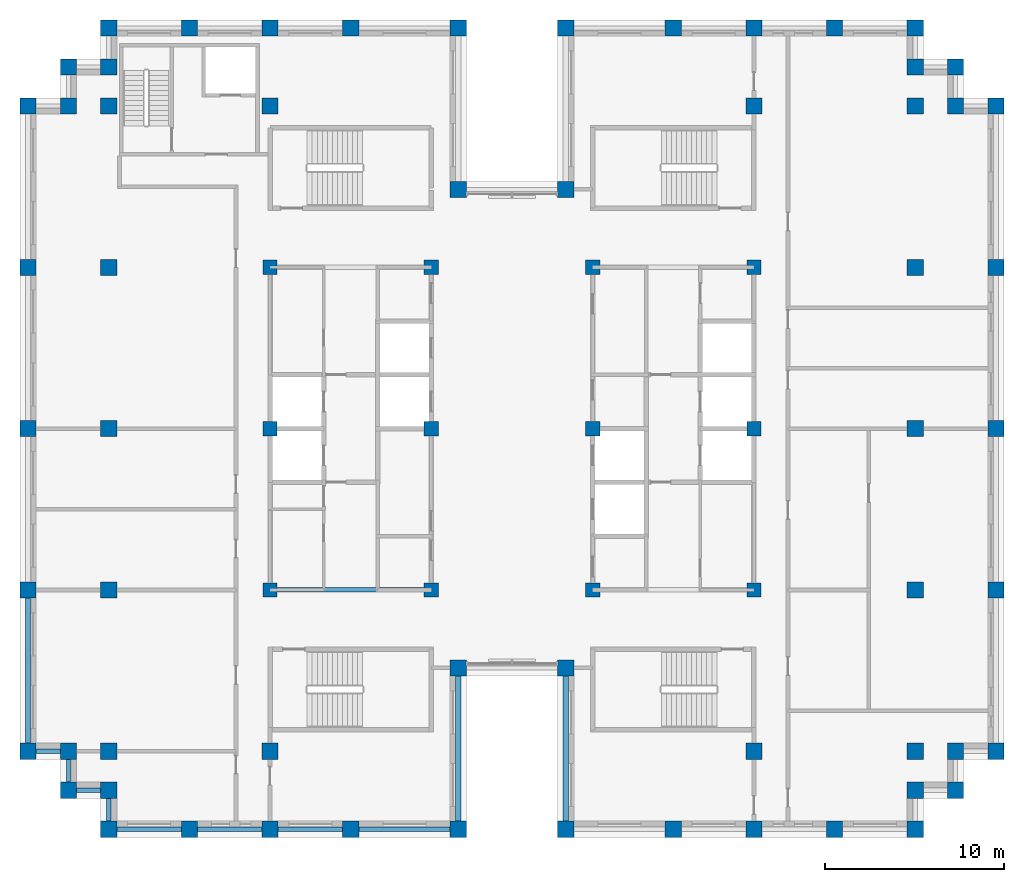
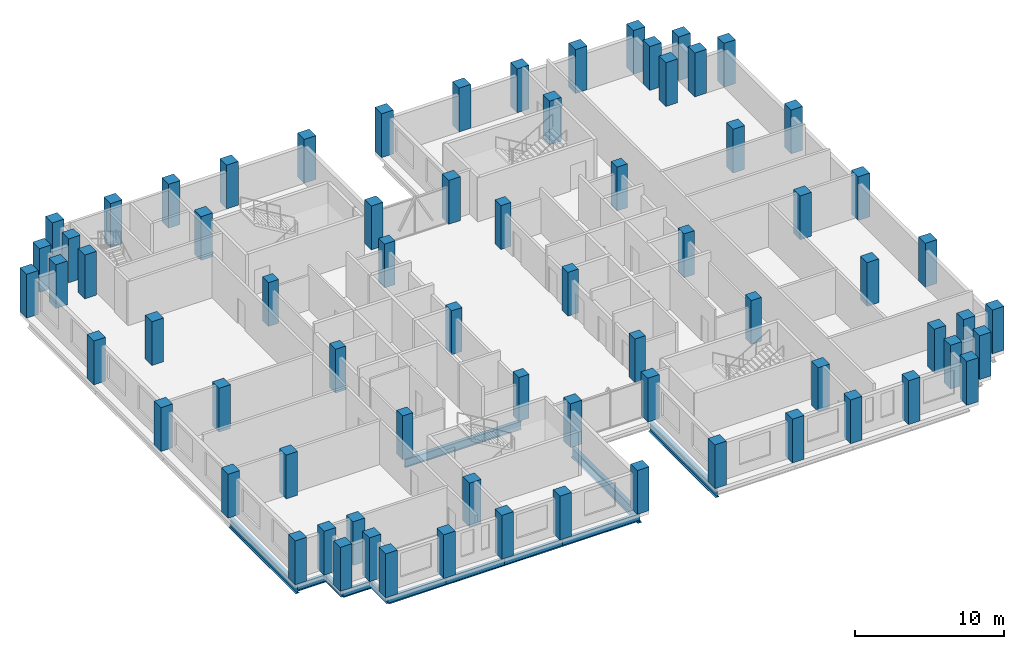
# One storey, part 1 of 13: 72 columns, 12 beams.
"""IFC4 building model written with IfcOpenShell, lengths in metres."""

from ifc_helpers import new_model, si_unit, direction, frame, origin, origin_2d, place, context, subcontext, project, spatial, rectangle, i_section, extrude, material, material_profile, profile_set, type_object, element, save


model = new_model("IFC4")

# Units and contexts
model_context = context("Model", 3, precision=1e-05, world=origin(), true_north=direction((0.0, 1.0)))
body_context = subcontext(model_context, "Body", "Model", "MODEL_VIEW")
ifc_project = project(units=[si_unit("LENGTHUNIT", "METRE"), si_unit("AREAUNIT", "SQUARE_METRE"), si_unit("VOLUMEUNIT", "CUBIC_METRE"), si_unit("PLANEANGLEUNIT", "RADIAN"), si_unit("MASSUNIT", "GRAM", prefix="KILO")], contexts=[model_context])

# Site, building, storey
site_placement = place(None, origin())
site = spatial("IfcSite", under=ifc_project, at=site_placement, CompositionType="ELEMENT")
building_placement = place(site_placement, origin())
building = spatial("IfcBuilding", under=site, at=building_placement, Name="Corbelhall Arena Tower", CompositionType="ELEMENT")
storey_placement = place(building_placement, frame((0.0, 0.0, 290.0)))
storey = spatial("IfcBuildingStorey", under=building, at=storey_placement, Name="L63", CompositionType="ELEMENT", Elevation=290.0)

# Columns
ifc_material_1 = material(Name="Concrete C80/95", Category="concrete")
ifc_material_profile_1 = material_profile(ifc_material_1, rectangle(XDim=0.800048828125, YDim=0.800048828125, at=origin_2d()))
ifc_profile_set_1 = profile_set([ifc_material_profile_1], Name="Concrete C80/95")
column_type_1 = type_object("IfcColumnType", Name="ST-COL-RC 800x800", PredefinedType="COLUMN", material=ifc_profile_set_1)
for number, where, z_axis, x_axis, name in (
    (1, (4.5, 0.0, 0.0), (0.0, 0.0, 1.0), (1.0, 0.0, 0.0), "Column KE+0450+0000"),
    (2, (4.5, 9.0, 0.0), (0.0, 0.0, 1.0), (1.0, 0.0, 0.0), "Column KE+0450+0900"),
    (3, (4.5, -9.0, 0.0), (0.0, 0.0, 1.0), (1.0, 0.0, 0.0), "Column KE+0450-0900"),
    (4, (13.5, 0.0, 0.0), (0.0, 0.0, 1.0), (1.0, 0.0, 0.0), "Column KE+1350+0000"),
    (5, (13.5, 9.0, 0.0), (0.0, 0.0, 1.0), (1.0, 0.0, 0.0), "Column KE+1350+0900"),
    (6, (13.5, -9.0, 0.0), (0.0, 0.0, 1.0), (1.0, 0.0, 0.0), "Column KE+1350-0900"),
    (7, (-4.5, 0.0, 0.0), (0.0, 0.0, 1.0), (1.0, 0.0, 0.0), "Column KW-0450+0000"),
    (8, (-4.5, 9.0, 0.0), (0.0, 0.0, 1.0), (1.0, 0.0, 0.0), "Column KW-0450+0900"),
    (9, (-4.5, -9.0, 0.0), (0.0, 0.0, 1.0), (1.0, 0.0, 0.0), "Column KW-0450-0900"),
    (10, (-13.5, 0.0, 0.0), (0.0, 0.0, 1.0), (1.0, 0.0, 0.0), "Column KW-1350+0000"),
    (11, (-13.5, 9.0, 0.0), (0.0, 0.0, 1.0), (1.0, 0.0, 0.0), "Column KW-1350+0900"),
    (12, (-13.5, -9.0, 0.0), (0.0, 0.0, 1.0), (1.0, 0.0, 0.0), "Column KW-1350-0900"),
):
    element("IfcColumn", number, at=place(storey_placement, frame(where, z_axis=z_axis, x_axis=x_axis)), inside=storey, type_object=column_type_1, Name=name, PredefinedType="COLUMN", context=body_context, shape_type="SweptSolid", body=[
        extrude(rectangle(XDim=0.800048828125, YDim=0.800048828125, at=origin_2d()), origin(), (0.0, 0.0, 1.0), 3.590087890625),
    ])
ifc_material_profile_2 = material_profile(ifc_material_1, rectangle(XDim=0.89990234375, YDim=0.89990234375, at=origin_2d()))
ifc_profile_set_2 = profile_set([ifc_material_profile_2], Name="Concrete C80/95")
column_type_2 = type_object("IfcColumnType", Name="ST-COL-RC 900x900", PredefinedType="COLUMN", material=ifc_profile_set_2)
for number, where, z_axis, x_axis, name in (
    (13, (13.5, 18.0, 0.0), (0.0, 0.0, 1.0), (1.0, 0.0, 0.0), "Column IE13+1800"),
    (14, (13.5, -18.0, 0.0), (0.0, 0.0, 1.0), (1.0, 0.0, 0.0), "Column IE13-1800"),
    (15, (22.5, 0.0, 0.0), (0.0, 0.0, 1.0), (1.0, 0.0, 0.0), "Column IE22+0000"),
    (16, (22.5, 9.0, 0.0), (0.0, 0.0, 1.0), (1.0, 0.0, 0.0), "Column IE22+0900"),
    (17, (22.5, 18.0, 0.0), (0.0, 0.0, 1.0), (1.0, 0.0, 0.0), "Column IE22+1800"),
    (18, (22.5, -9.0, 0.0), (0.0, 0.0, 1.0), (1.0, 0.0, 0.0), "Column IE22-0900"),
    (19, (22.5, -18.0, 0.0), (0.0, 0.0, 1.0), (1.0, 0.0, 0.0), "Column IE22-1800"),
    (20, (-13.5, 18.0, 0.0), (0.0, 0.0, 1.0), (1.0, 0.0, 0.0), "Column IW13+1800"),
    (21, (-13.5, -18.0, 0.0), (0.0, 0.0, 1.0), (1.0, 0.0, 0.0), "Column IW13-1800"),
    (22, (-22.5, 0.0, 0.0), (0.0, 0.0, 1.0), (1.0, 0.0, 0.0), "Column IW22+0000"),
    (23, (-22.5, 9.0, 0.0), (0.0, 0.0, 1.0), (1.0, 0.0, 0.0), "Column IW22+0900"),
    (24, (-22.5, 18.0, 0.0), (0.0, 0.0, 1.0), (1.0, 0.0, 0.0), "Column IW22+1800"),
    (25, (-22.5, -9.0, 0.0), (0.0, 0.0, 1.0), (1.0, 0.0, 0.0), "Column IW22-0900"),
    (26, (-22.5, -18.0, 0.0), (0.0, 0.0, 1.0), (1.0, 0.0, 0.0), "Column IW22-1800"),
    (27, (27.0, 0.0, 0.0), (0.0, 0.0, 1.0), (0.0, 1.0, 0.0), "Column PE+0000"),
    (28, (27.0, 9.0, 0.0), (0.0, 0.0, 1.0), (0.0, 1.0, 0.0), "Column PE+0900"),
    (29, (27.0, 18.0, 0.0), (0.0, 0.0, 1.0), (0.0, 1.0, 0.0), "Column PE+1800"),
    (30, (27.0, -9.0, 0.0), (0.0, 0.0, 1.0), (0.0, 1.0, 0.0), "Column PE-0900"),
    (31, (27.0, -18.0, 0.0), (0.0, 0.0, 1.0), (0.0, 1.0, 0.0), "Column PE-1800"),
    (32, (3.0, 22.35009765625, 0.0), (0.0, 0.0, 1.0), (1.0, 0.0, 0.0), "Column PNE0300"),
    (33, (9.0, 22.35009765625, 0.0), (0.0, 0.0, 1.0), (1.0, 0.0, 0.0), "Column PNE0900"),
    (34, (13.5, 22.35009765625, 0.0), (0.0, 0.0, 1.0), (1.0, 0.0, 0.0), "Column PNE1350"),
    (35, (18.0, 22.35009765625, 0.0), (0.0, 0.0, 1.0), (1.0, 0.0, 0.0), "Column PNE1800"),
    (36, (22.5, 22.35009765625, 0.0), (0.0, 0.0, 1.0), (1.0, 0.0, 0.0), "Column PNE2250"),
    (37, (-3.0, 22.35009765625, 0.0), (0.0, 0.0, 1.0), (1.0, 0.0, 0.0), "Column PNW0300"),
    (38, (-9.0, 22.35009765625, 0.0), (0.0, 0.0, 1.0), (1.0, 0.0, 0.0), "Column PNW0900"),
    (39, (-13.5, 22.35009765625, 0.0), (0.0, 0.0, 1.0), (1.0, 0.0, 0.0), "Column PNW1350"),
    (40, (-18.0, 22.35009765625, 0.0), (0.0, 0.0, 1.0), (1.0, 0.0, 0.0), "Column PNW1800"),
    (41, (-22.5, 22.35009765625, 0.0), (0.0, 0.0, 1.0), (1.0, 0.0, 0.0), "Column PNW2250"),
    (42, (3.0, -22.35009765625, 0.0), (0.0, 0.0, 1.0), (1.0, 0.0, 0.0), "Column PSE0300"),
    (43, (9.0, -22.35009765625, 0.0), (0.0, 0.0, 1.0), (1.0, 0.0, 0.0), "Column PSE0900"),
    (44, (13.5, -22.35009765625, 0.0), (0.0, 0.0, 1.0), (1.0, 0.0, 0.0), "Column PSE1350"),
    (45, (18.0, -22.35009765625, 0.0), (0.0, 0.0, 1.0), (1.0, 0.0, 0.0), "Column PSE1800"),
    (46, (22.5, -22.35009765625, 0.0), (0.0, 0.0, 1.0), (1.0, 0.0, 0.0), "Column PSE2250"),
    (47, (-3.0, -22.35009765625, 0.0), (0.0, 0.0, 1.0), (1.0, 0.0, 0.0), "Column PSW0300"),
    (48, (-9.0, -22.35009765625, 0.0), (0.0, 0.0, 1.0), (1.0, 0.0, 0.0), "Column PSW0900"),
    (49, (-13.5, -22.35009765625, 0.0), (0.0, 0.0, 1.0), (1.0, 0.0, 0.0), "Column PSW1350"),
    (50, (-18.0, -22.35009765625, 0.0), (0.0, 0.0, 1.0), (1.0, 0.0, 0.0), "Column PSW1800"),
    (51, (-22.5, -22.35009765625, 0.0), (0.0, 0.0, 1.0), (1.0, 0.0, 0.0), "Column PSW2250"),
    (52, (-27.0, 0.0, 0.0), (0.0, 0.0, 1.0), (0.0, 1.0, 0.0), "Column PW+0000"),
    (53, (-27.0, 9.0, 0.0), (0.0, 0.0, 1.0), (0.0, 1.0, 0.0), "Column PW+0900"),
    (54, (-27.0, 18.0, 0.0), (0.0, 0.0, 1.0), (0.0, 1.0, 0.0), "Column PW+1800"),
    (55, (-27.0, -9.0, 0.0), (0.0, 0.0, 1.0), (0.0, 1.0, 0.0), "Column PW-0900"),
    (56, (-27.0, -18.0, 0.0), (0.0, 0.0, 1.0), (0.0, 1.0, 0.0), "Column PW-1800"),
    (57, (3.0, 13.35009765625, 0.0), (0.0, 0.0, 1.0), (1.0, 0.0, 0.0), "Column SLNE2"),
    (58, (-3.0, 13.35009765625, 0.0), (0.0, 0.0, 1.0), (1.0, 0.0, 0.0), "Column SLNW2"),
    (59, (3.0, -13.35009765625, 0.0), (0.0, 0.0, 1.0), (1.0, 0.0, 0.0), "Column SLSE2"),
    (60, (-3.0, -13.35009765625, 0.0), (0.0, 0.0, 1.0), (1.0, 0.0, 0.0), "Column SLSW2"),
    (61, (22.5, 20.175048828125, 0.0), (0.0, 0.0, 1.0), (1.0, 0.0, 0.0), "Column XNE1"),
    (62, (24.75, 20.175048828125, 0.0), (0.0, 0.0, 1.0), (1.0, 0.0, 0.0), "Column XNE2"),
    (63, (24.75, 18.0, 0.0), (0.0, 0.0, 1.0), (1.0, 0.0, 0.0), "Column XNE3"),
    (64, (-22.5, 20.175048828125, 0.0), (0.0, 0.0, 1.0), (1.0, 0.0, 0.0), "Column XNW1"),
    (65, (-24.75, 20.175048828125, 0.0), (0.0, 0.0, 1.0), (1.0, 0.0, 0.0), "Column XNW2"),
    (66, (-24.75, 18.0, 0.0), (0.0, 0.0, 1.0), (1.0, 0.0, 0.0), "Column XNW3"),
    (67, (22.5, -20.175048828125, 0.0), (0.0, 0.0, 1.0), (1.0, 0.0, 0.0), "Column XSE1"),
    (68, (24.75, -20.175048828125, 0.0), (0.0, 0.0, 1.0), (1.0, 0.0, 0.0), "Column XSE2"),
    (69, (24.75, -18.0, 0.0), (0.0, 0.0, 1.0), (1.0, 0.0, 0.0), "Column XSE3"),
    (70, (-22.5, -20.175048828125, 0.0), (0.0, 0.0, 1.0), (1.0, 0.0, 0.0), "Column XSW1"),
    (71, (-24.75, -20.175048828125, 0.0), (0.0, 0.0, 1.0), (1.0, 0.0, 0.0), "Column XSW2"),
    (72, (-24.75, -18.0, 0.0), (0.0, 0.0, 1.0), (1.0, 0.0, 0.0), "Column XSW3"),
):
    element("IfcColumn", number, at=place(storey_placement, frame(where, z_axis=z_axis, x_axis=x_axis)), inside=storey, type_object=column_type_2, Name=name, PredefinedType="COLUMN", context=body_context, shape_type="SweptSolid", body=[
        extrude(rectangle(XDim=0.89990234375, YDim=0.89990234375, at=origin_2d()), origin(), (0.0, 0.0, 1.0), 3.590087890625),
    ])

# Beams
ifc_material_2 = material(Name="Steel ASTM A992 Gr50", Category="steel")
ifc_material_profile_3 = material_profile(ifc_material_2, i_section(OverallWidth=0.25390625, OverallDepth=0.67822265625, WebThickness=0.01171875, FlangeThickness=0.016357421875, at=origin_2d()))
ifc_profile_set_3 = profile_set([ifc_material_profile_3], Name="Steel ASTM A992 Gr50")
beam_type_1 = type_object("IfcBeamType", Name="ST-BEAM-W27x84", PredefinedType="BEAM", material=ifc_profile_set_3)
beam_1_placement = place(storey_placement, frame((-13.5, -9.0, -0.619140625), z_axis=(1.0, 0.0, 0.0), x_axis=(0.0, 1.0, 0.0)))
element("IfcBeam", 73, at=beam_1_placement, inside=storey, type_object=beam_type_1, Name="Beam CEW 5", PredefinedType="BEAM", context=body_context, shape_type="SweptSolid", body=[
    extrude(i_section(OverallWidth=0.25390625, OverallDepth=0.67822265625, WebThickness=0.01171875, FlangeThickness=0.016357421875, at=origin_2d()), origin(), (0.0, 0.0, 1.0), 9.0),
])
ifc_material_profile_4 = material_profile(ifc_material_2, i_section(OverallWidth=0.227783203125, OverallDepth=0.60205078125, WebThickness=0.010498046875, FlangeThickness=0.014892578125, at=origin_2d()))
ifc_profile_set_4 = profile_set([ifc_material_profile_4], Name="Steel ASTM A992 Gr50")
beam_type_2 = type_object("IfcBeamType", Name="ST-SPANDREL-W24x68", PredefinedType="SPANDREL", material=ifc_profile_set_4)
beam_2_placement = place(storey_placement, frame((-3.0, -22.35009765625, -0.5810546875), z_axis=(-1.0, 0.0, 0.0), x_axis=(0.0, -1.0, 0.0)))
element("IfcBeam", 74, at=beam_2_placement, inside=storey, type_object=beam_type_2, Name="Beam SP 21", PredefinedType="SPANDREL", context=body_context, shape_type="SweptSolid", body=[
    extrude(i_section(OverallWidth=0.227783203125, OverallDepth=0.60205078125, WebThickness=0.010498046875, FlangeThickness=0.014892578125, at=origin_2d()), origin(), (0.0, 0.0, 1.0), 6.0),
])
for number, where, z_axis, x_axis, name in (
    (75, (-9.0, -22.35009765625, -0.5810546875), (-1.0, 0.0, 0.0), (0.0, -1.0, 0.0), "Beam SP 22"),
    (76, (-13.5, -22.35009765625, -0.5810546875), (-1.0, 0.0, 0.0), (0.0, -1.0, 0.0), "Beam SP 23"),
    (77, (-18.0, -22.35009765625, -0.5810546875), (-1.0, 0.0, 0.0), (0.0, -1.0, 0.0), "Beam SP 24"),
):
    element("IfcBeam", number, at=place(storey_placement, frame(where, z_axis=z_axis, x_axis=x_axis)), inside=storey, type_object=beam_type_2, Name=name, PredefinedType="SPANDREL", context=body_context, shape_type="SweptSolid", body=[
        extrude(i_section(OverallWidth=0.227783203125, OverallDepth=0.60205078125, WebThickness=0.010498046875, FlangeThickness=0.014892578125, at=origin_2d()), origin(), (0.0, 0.0, 1.0), 4.5),
    ])
beam_3_placement = place(storey_placement, frame((-22.5, -22.35009765625, -0.5810546875), z_axis=(0.0, 1.0, 0.0), x_axis=(-1.0, 0.0, 0.0)))
element("IfcBeam", 78, at=beam_3_placement, inside=storey, type_object=beam_type_2, Name="Beam SP 25", PredefinedType="SPANDREL", context=body_context, shape_type="SweptSolid", body=[
    extrude(i_section(OverallWidth=0.227783203125, OverallDepth=0.60205078125, WebThickness=0.010498046875, FlangeThickness=0.014892578125, at=origin_2d()), origin(), (0.0, 0.0, 1.0), 2.175048828125),
])
beam_4_placement = place(storey_placement, frame((-22.5, -20.175048828125, -0.5810546875), z_axis=(-1.0, 0.0, 0.0), x_axis=(0.0, -1.0, 0.0)))
element("IfcBeam", 79, at=beam_4_placement, inside=storey, type_object=beam_type_2, Name="Beam SP 44", PredefinedType="SPANDREL", context=body_context, shape_type="SweptSolid", body=[
    extrude(i_section(OverallWidth=0.227783203125, OverallDepth=0.60205078125, WebThickness=0.010498046875, FlangeThickness=0.014892578125, at=origin_2d()), origin(), (0.0, 0.0, 1.0), 2.25),
])
beam_5_placement = place(storey_placement, frame((-24.75, -20.175048828125, -0.5810546875), z_axis=(0.0, 1.0, 0.0), x_axis=(-1.0, 0.0, 0.0)))
element("IfcBeam", 80, at=beam_5_placement, inside=storey, type_object=beam_type_2, Name="Beam SP 45", PredefinedType="SPANDREL", context=body_context, shape_type="SweptSolid", body=[
    extrude(i_section(OverallWidth=0.227783203125, OverallDepth=0.60205078125, WebThickness=0.010498046875, FlangeThickness=0.014892578125, at=origin_2d()), origin(), (0.0, 0.0, 1.0), 2.175048828125),
])
beam_6_placement = place(storey_placement, frame((-24.75, -18.0, -0.5810546875), z_axis=(-1.0, 0.0, 0.0), x_axis=(0.0, -1.0, 0.0)))
element("IfcBeam", 81, at=beam_6_placement, inside=storey, type_object=beam_type_2, Name="Beam SP 46", PredefinedType="SPANDREL", context=body_context, shape_type="SweptSolid", body=[
    extrude(i_section(OverallWidth=0.227783203125, OverallDepth=0.60205078125, WebThickness=0.010498046875, FlangeThickness=0.014892578125, at=origin_2d()), origin(), (0.0, 0.0, 1.0), 2.25),
])
ifc_material_profile_5 = material_profile(ifc_material_2, i_section(OverallWidth=0.2919921875, OverallDepth=0.845703125, WebThickness=0.015380859375, FlangeThickness=0.0244140625, at=origin_2d()))
ifc_profile_set_5 = profile_set([ifc_material_profile_5], Name="Steel ASTM A992 Gr50")
beam_type_3 = type_object("IfcBeamType", Name="ST-SPANDREL-W33x141", PredefinedType="SPANDREL", material=ifc_profile_set_5)
for number, where, z_axis, x_axis, name in (
    (82, (3.0, -22.35009765625, -0.702880859375), (0.0, 1.0, 0.0), (-1.0, 0.0, 0.0), "Beam SP 16"),
    (83, (-27.0, -18.0, -0.702880859375), (0.0, 1.0, 0.0), (-1.0, 0.0, 0.0), "Beam SP 30"),
    (84, (-3.0, -13.35009765625, -0.702880859375), (0.0, -1.0, 0.0), (1.0, 0.0, 0.0), "Beam SP 34"),
):
    element("IfcBeam", number, at=place(storey_placement, frame(where, z_axis=z_axis, x_axis=x_axis)), inside=storey, type_object=beam_type_3, Name=name, PredefinedType="SPANDREL", context=body_context, shape_type="SweptSolid", body=[
        extrude(i_section(OverallWidth=0.2919921875, OverallDepth=0.845703125, WebThickness=0.015380859375, FlangeThickness=0.0244140625, at=origin_2d()), origin(), (0.0, 0.0, 1.0), 9.0),
    ])

save(model, "model.ifc")
